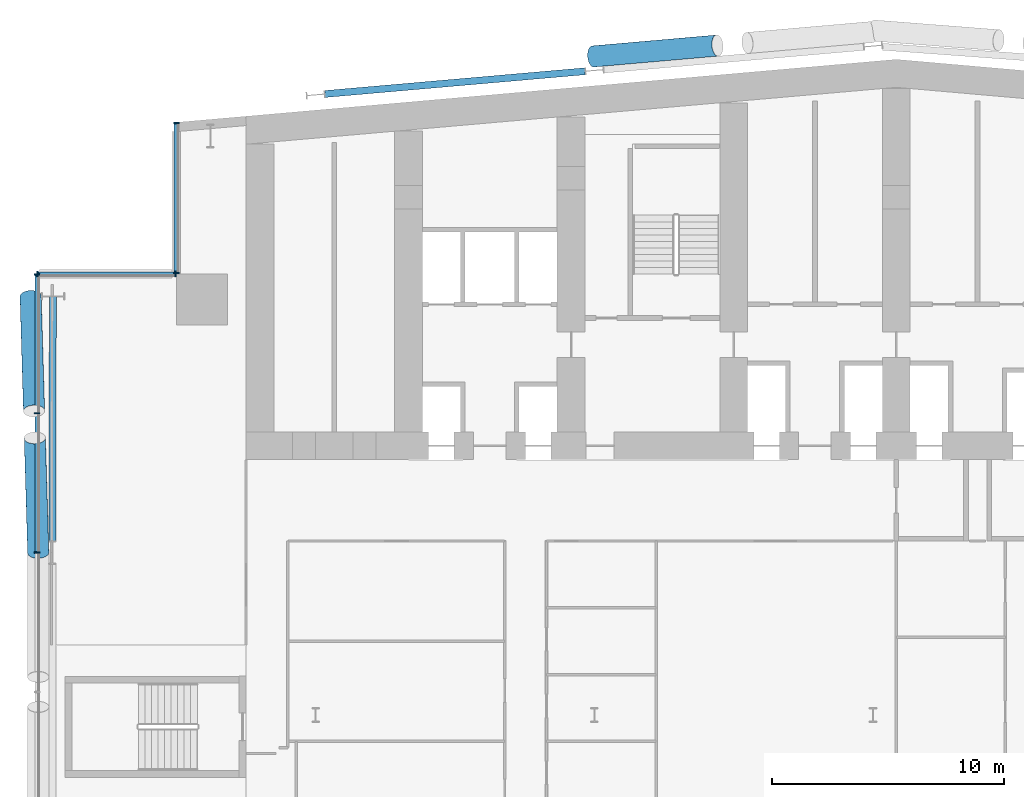
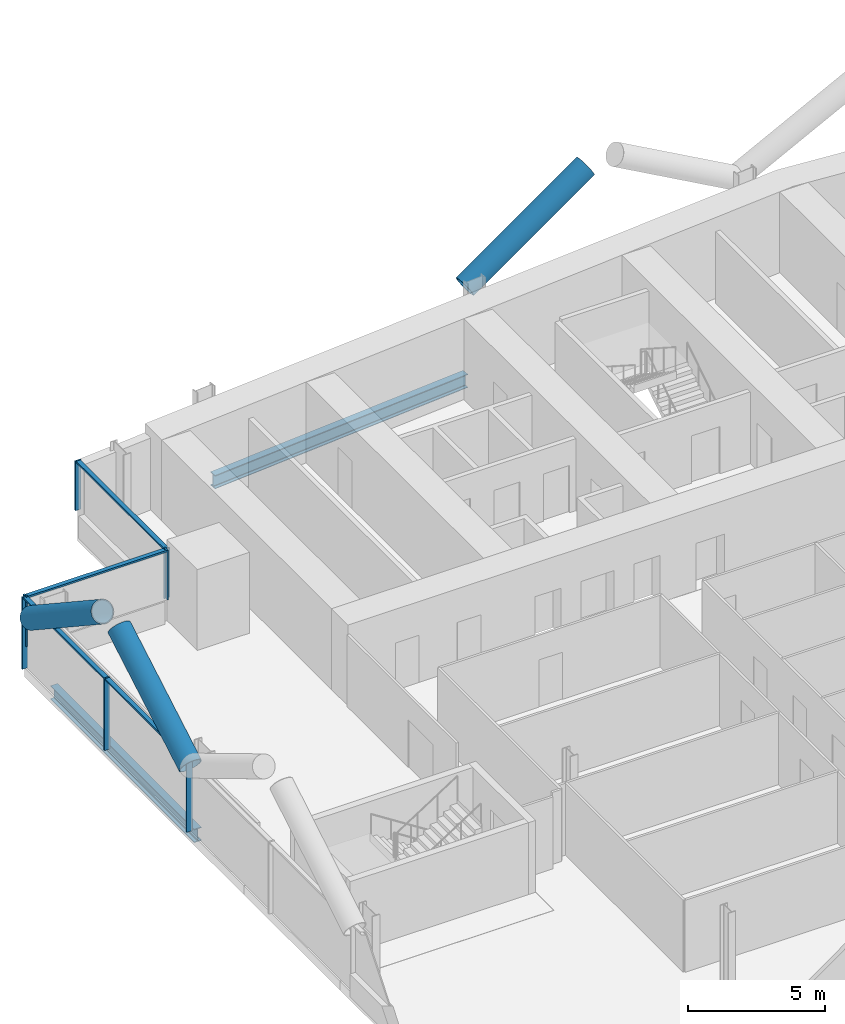
# One storey, part 7 of 27: 14 members, 2 beams, 3 elements without a shape of their own.
"""IFC4 building model written with IfcOpenShell, lengths in metres."""

import ifcopenshell
import ifcopenshell.guid

model = None  # the IFC model being written
_history = None  # IfcOwnerHistory: only IFC2X3 demands one
_inside = {}  # id of a spatial element -> (the spatial element, [elements in it])
_under = {}  # id of a project, library or spatial element -> (it, [spatial elements below it])
_declared = {}  # id of a project -> (the project, [libraries it declares])
_typed = {}  # id of a type object -> (the type object, [elements of that type])
_made_of = {}  # id of a material, layer set ... -> (it, [elements and type objects made of it])


def new_model(schema):
    """Start an empty IFC model of exactly this schema.

    Asked for "IFC4X3", IfcOpenShell would pick the latest addendum, in which some entities
    have other attributes; the version numbers below select the first issue.
    IFC2X3 requires an IfcOwnerHistory on every rooted entity: one is made here for all.
    """
    global model, _history
    if schema == "IFC4X3":
        model = ifcopenshell.file(schema_version=(4, 3, 0, 0))
    else:
        model = ifcopenshell.file(schema=schema)
    _inside.clear()
    _under.clear()
    _declared.clear()
    _typed.clear()
    _made_of.clear()
    _history = None
    if model.schema == "IFC2X3":
        org = make("IfcOrganization", Name="unknown")
        user = make(
            "IfcPersonAndOrganization",
            ThePerson=make("IfcPerson", FamilyName="unknown"),
            TheOrganization=org,
        )
        app = make(
            "IfcApplication",
            ApplicationDeveloper=org,
            Version="unknown",
            ApplicationFullName="unknown",
            ApplicationIdentifier="unknown",
        )
        _history = make(
            "IfcOwnerHistory",
            OwningUser=user,
            OwningApplication=app,
            ChangeAction="ADDED",
            CreationDate=0,
        )
    return model


def make(cls, **values):
    """One entity of the class cls with the attributes given. An attribute that is None is left unset."""
    return model.create_entity(
        cls, **{name: value for name, value in values.items() if value is not None}
    )


def rooted(cls, **values):
    """An entity with a GlobalId (a new one), such as an element, a storey or a relation."""
    return make(cls, GlobalId=ifcopenshell.guid.new(), OwnerHistory=_history, **values)


def si_unit(unit_type, name, prefix=None):
    """IfcSIUnit, for example si_unit("LENGTHUNIT", "METRE", prefix="MILLI")."""
    return make("IfcSIUnit", UnitType=unit_type, Prefix=prefix, Name=name)


def assignment(units):
    """IfcUnitAssignment: the units of a project."""
    return None if units is None else make("IfcUnitAssignment", Units=units)


def point(xyz):
    """IfcCartesianPoint."""
    return None if xyz is None else make("IfcCartesianPoint", Coordinates=xyz)


def direction(xyz):
    """IfcDirection."""
    return None if xyz is None else make("IfcDirection", DirectionRatios=xyz)


def frame(location, z_axis=None, x_axis=None):
    """IfcAxis2Placement3D, a coordinate frame: its origin and axes. An axis left out is left unset."""
    return make(
        "IfcAxis2Placement3D",
        Location=point(location),
        Axis=direction(z_axis),
        RefDirection=direction(x_axis),
    )


def frame_2d(location, x_axis=None):
    """IfcAxis2Placement2D, a coordinate frame in the plane: its origin and x axis."""
    return make(
        "IfcAxis2Placement2D", Location=point(location), RefDirection=direction(x_axis)
    )


def origin():
    """The frame at (0, 0, 0) with its axes left unset."""
    return frame((0.0, 0.0, 0.0))


def origin_2d():
    """The frame at (0, 0) in the plane with its x axis left unset."""
    return frame_2d((0.0, 0.0))


def place(relative_to, where):
    """IfcLocalPlacement: puts the frame where relative to a parent placement (None: the world)."""
    return make(
        "IfcLocalPlacement", PlacementRelTo=relative_to, RelativePlacement=where
    )


def context(
    kind, dimensions, precision=None, world=None, true_north=None, identifier=None
):
    """IfcGeometricRepresentationContext, for example the 3D "Model" context."""
    return make(
        "IfcGeometricRepresentationContext",
        ContextIdentifier=identifier,
        ContextType=kind,
        CoordinateSpaceDimension=dimensions,
        Precision=precision,
        WorldCoordinateSystem=world,
        TrueNorth=true_north,
    )


def subcontext(parent, identifier, kind, view, scale=None):
    """IfcGeometricRepresentationSubContext, for example "Body" below "Model"."""
    return make(
        "IfcGeometricRepresentationSubContext",
        ContextIdentifier=identifier,
        ContextType=kind,
        ParentContext=parent,
        TargetScale=scale,
        TargetView=view,
    )


def project(units=None, contexts=None):
    """IfcProject with its units and contexts."""
    return rooted(
        "IfcProject",
        Name="project",
        RepresentationContexts=contexts,
        UnitsInContext=assignment(units),
    )


def spatial(cls, under=None, at=None, **own):
    """A site, building, storey or space (cls), placed at a placement, below another one or the project."""
    s = rooted(cls, ObjectPlacement=at, **own)
    if under is not None:
        _under.setdefault(under.id(), (under, []))[1].append(s)
    return s


def profile(cls, at=None, kind="AREA", **sizes):
    """A parametric profile (cls). Its sizes go by their IFC names, for example OverallWidth=200.0."""
    return make(cls, ProfileType=kind, Position=at, **sizes)


def rectangle(**sizes):
    """IfcRectangleProfileDef."""
    return profile("IfcRectangleProfileDef", **sizes)


def hollow_circle(**sizes):
    """IfcCircleHollowProfileDef."""
    return profile("IfcCircleHollowProfileDef", **sizes)


def i_section(**sizes):
    """IfcIShapeProfileDef."""
    return profile("IfcIShapeProfileDef", **sizes)


def extrude(swept, where, along, depth):
    """IfcExtrudedAreaSolid: the profile swept, set in the frame where, extruded along a direction by depth."""
    return make(
        "IfcExtrudedAreaSolid",
        SweptArea=swept,
        Position=where,
        ExtrudedDirection=direction(along),
        Depth=depth,
    )


def shape(context_of_items, identifier, shape_type, items):
    """IfcShapeRepresentation: the items that make up one representation, for example the "Body"."""
    return make(
        "IfcShapeRepresentation",
        ContextOfItems=context_of_items,
        RepresentationIdentifier=identifier,
        RepresentationType=shape_type,
        Items=items,
    )


def material(Name=None, Category=None):
    """IfcMaterial."""
    return make("IfcMaterial", Name=Name, Category=Category)


def material_profile(
    of_material, cross_section, Name=None, Category=None, Priority=None
):
    """IfcMaterialProfile: a cross section and its material."""
    return make(
        "IfcMaterialProfile",
        Name=Name,
        Material=of_material,
        Profile=cross_section,
        Priority=Priority,
        Category=Category,
    )


def profile_set(profiles, Name=None, composite=None):
    """IfcMaterialProfileSet."""
    return make(
        "IfcMaterialProfileSet",
        Name=Name,
        MaterialProfiles=profiles,
        CompositeProfile=composite,
    )


def made_of(thing, what):
    """Note that an element or type object is made of a material, layer set ...; save() writes the relation."""
    if what is not None:
        _made_of.setdefault(what.id(), (what, []))[1].append(thing)
    return thing


def type_object(cls, material=None, **own):
    """A type object (cls), such as IfcWallType, which elements share."""
    return made_of(rooted(cls, **own), material)


def element(
    cls,
    number,
    at=None,
    inside=None,
    cuts=None,
    type_object=None,
    material=None,
    context=None,
    identifier="Body",
    shape_type=None,
    held_by="IfcProductDefinitionShape",
    body=None,
    shapes=None,
    **own,
):
    """One element of the class cls, such as IfcWall. Its Tag is "e" and its number.

    at: its placement. inside: the storey or other place that contains it. cuts: it is an
    opening in that element (IfcRelVoidsElement). A single representation is given by context,
    identifier, shape_type and body (its items); several are given by shapes. held_by: the class
    of the entity that holds the representations. save() writes the other relations.
    """
    e = rooted(cls, Tag="e%d" % number, ObjectPlacement=at, **own)
    if body is not None:
        shapes = [shape(context, identifier, shape_type, body)]
    if shapes is not None:
        e.Representation = make(held_by, Representations=shapes)
    if inside is not None:
        _inside.setdefault(inside.id(), (inside, []))[1].append(e)
    if cuts is not None:
        rooted(
            "IfcRelVoidsElement", RelatingBuildingElement=cuts, RelatedOpeningElement=e
        )
    if type_object is not None:
        _typed.setdefault(type_object.id(), (type_object, []))[1].append(e)
    return made_of(e, material)


def aggregate(whole, parts):
    """IfcRelAggregates: a whole, such as a stair, and the parts it consists of."""
    return rooted("IfcRelAggregates", RelatingObject=whole, RelatedObjects=parts)


def save(model, path):
    """Write the relations noted so far, then the file.

    IfcRelAggregates (storeys below a building ...), IfcRelContainedInSpatialStructure (elements
    in a storey), IfcRelDefinesByType, IfcRelAssociatesMaterial and IfcRelDeclares: one each for
    every whole, place, type object, material and project.
    """
    for whole, parts in _under.values():
        aggregate(whole, parts)
    for where, things in _inside.values():
        rooted(
            "IfcRelContainedInSpatialStructure",
            RelatedElements=things,
            RelatingStructure=where,
        )
    for kind, things in _typed.values():
        rooted("IfcRelDefinesByType", RelatedObjects=things, RelatingType=kind)
    for what, things in _made_of.values():
        rooted("IfcRelAssociatesMaterial", RelatedObjects=things, RelatingMaterial=what)
    for by, libraries in _declared.values():
        rooted("IfcRelDeclares", RelatingContext=by, RelatedDefinitions=libraries)
    model.write(path)


model = new_model("IFC4")

# Units and contexts
model_context = context("Model", 3, precision=1e-05, world=origin(), true_north=direction((0.0, 1.0)))
body_context = subcontext(model_context, "Body", "Model", "MODEL_VIEW")
ifc_project = project(units=[si_unit("LENGTHUNIT", "METRE"), si_unit("AREAUNIT", "SQUARE_METRE"), si_unit("VOLUMEUNIT", "CUBIC_METRE"), si_unit("PLANEANGLEUNIT", "RADIAN"), si_unit("MASSUNIT", "GRAM", prefix="KILO")], contexts=[model_context])

# Site, building, storey
site_placement = place(None, origin())
site = spatial("IfcSite", under=ifc_project, at=site_placement, CompositionType="ELEMENT")
building_placement = place(site_placement, origin())
building = spatial("IfcBuilding", under=site, at=building_placement, Name="Wharfspan Tower", CompositionType="ELEMENT")
storey_placement = place(building_placement, frame((0.0, 0.0, 81.100098)))
storey = spatial("IfcBuildingStorey", under=building, at=storey_placement, Name="L17", CompositionType="ELEMENT", Elevation=81.100098)

# Beams
ifc_material_1 = material(Name="Steel S355J2", Category="steel")
ifc_material_profile_1 = material_profile(ifc_material_1, i_section(OverallWidth=0.300049, OverallDepth=0.600098, WebThickness=0.015381, FlangeThickness=0.030029, FilletRadius=0.0271, at=origin_2d()))
ifc_profile_set_1 = profile_set([ifc_material_profile_1], Name="Steel S355J2")
beam_type = type_object("IfcBeamType", Name="Edge beam HEB 600", PredefinedType="SPANDREL", material=ifc_profile_set_1)
beam_1_placement = place(storey_placement, frame((23.598633, 50.724609, -0.700195), z_axis=(-0.996194, -0.087165, 0.0), x_axis=(0.087165, -0.996194, 0.0)))
element("IfcBeam", 1, at=beam_1_placement, inside=storey, type_object=beam_type, Name="Edge beam N1 L17 R.2 to R.1", PredefinedType="SPANDREL", context=body_context, shape_type="SweptSolid", body=[
    extrude(i_section(OverallWidth=0.300049, OverallDepth=0.600098, WebThickness=0.015381, FlangeThickness=0.030029, FilletRadius=0.0271, at=origin_2d()), origin(), (0.0, 0.0, 1.0), 11.23999),
])
beam_2_placement = place(storey_placement, frame((0.684814, 41.027832, -0.700195), z_axis=(-0.002249, -0.999997, 0.0), x_axis=(0.999997, -0.002249, 0.0)))
element("IfcBeam", 2, at=beam_2_placement, inside=storey, type_object=beam_type, Name="Edge beam W L17 PNRW-H.1 to PW.1", PredefinedType="SPANDREL", context=body_context, shape_type="SweptSolid", body=[
    extrude(i_section(OverallWidth=0.300049, OverallDepth=0.600098, WebThickness=0.015381, FlangeThickness=0.030029, FilletRadius=0.0271, at=origin_2d()), origin(), (0.0, 0.0, 1.0), 10.527832),
])

# Curtain wall, members
ifc_material_2 = material(Name="Aluminium 6063-T6", Category="aluminium")
curtain_wall_type = type_object("IfcCurtainWallType", Name="CURTAIN WALL PROW AND END", PredefinedType="NOTDEFINED", material=ifc_material_2)
curtain_wall_1_placement = place(storey_placement, origin())
curtain_wall_1 = element("IfcCurtainWall", 3, at=curtain_wall_1_placement, inside=storey, type_object=curtain_wall_type, Name="Curtain wall NRW-V", PredefinedType="NOTDEFINED")
ifc_material_profile_2 = material_profile(ifc_material_2, rectangle(XDim=0.23999, YDim=0.060059, at=origin_2d()))
ifc_profile_set_2 = profile_set([ifc_material_profile_2], Name="Aluminium 6063-T6")
member_type_1 = type_object("IfcMemberType", Name="MULLION PROW AND END 60x240", PredefinedType="MULLION", material=ifc_profile_set_2)
member_1_placement = place(storey_placement, frame((6.0, 48.494873, 1.0), z_axis=(0.0, 0.0, 1.0), x_axis=(1.0, 0.0, 0.0)))
member_1 = element("IfcMember", 4, at=member_1_placement, type_object=member_type_1, Name="Curtain wall NRW-V mullion 1", PredefinedType="MULLION", context=body_context, shape_type="SweptSolid", body=[
    extrude(rectangle(XDim=0.23999, YDim=0.060059, at=origin_2d()), origin(), (0.0, 0.0, 1.0), 2.199951),
])
member_2_placement = place(storey_placement, frame((6.0, 42.030029, 1.0), z_axis=(0.0, 0.0, 1.0), x_axis=(1.0, 0.0, 0.0)))
member_2 = element("IfcMember", 5, at=member_2_placement, type_object=member_type_1, Name="Curtain wall NRW-V mullion 2", PredefinedType="MULLION", context=body_context, shape_type="SweptSolid", body=[
    extrude(rectangle(XDim=0.23999, YDim=0.060059, at=origin_2d()), origin(), (0.0, 0.0, 1.0), 2.199951),
])

curtain_wall_2_placement = place(storey_placement, origin())
curtain_wall_2 = element("IfcCurtainWall", 6, at=curtain_wall_2_placement, inside=storey, type_object=curtain_wall_type, Name="Curtain wall NRW-H", PredefinedType="NOTDEFINED")
member_3_placement = place(storey_placement, frame((5.969971, 42.0, 1.0), z_axis=(0.0, 0.0, 1.0), x_axis=(0.0, -1.0, 0.0)))
member_3 = element("IfcMember", 7, at=member_3_placement, type_object=member_type_1, Name="Curtain wall NRW-H mullion 1", PredefinedType="MULLION", context=body_context, shape_type="SweptSolid", body=[
    extrude(rectangle(XDim=0.23999, YDim=0.060059, at=origin_2d()), origin(), (0.0, 0.0, 1.0), 2.199951),
])
member_4_placement = place(storey_placement, frame((0.030029, 42.0, 1.0), z_axis=(0.0, 0.0, 1.0), x_axis=(0.0, -1.0, 0.0)))
member_4 = element("IfcMember", 8, at=member_4_placement, type_object=member_type_1, Name="Curtain wall NRW-H mullion 2", PredefinedType="MULLION", context=body_context, shape_type="SweptSolid", body=[
    extrude(rectangle(XDim=0.23999, YDim=0.060059, at=origin_2d()), origin(), (0.0, 0.0, 1.0), 2.199951),
])

curtain_wall_3_placement = place(storey_placement, origin())
curtain_wall_3 = element("IfcCurtainWall", 9, at=curtain_wall_3_placement, inside=storey, type_object=curtain_wall_type, Name="Curtain wall W", PredefinedType="NOTDEFINED")
member_5_placement = place(storey_placement, frame((0.0, 41.969971, 0.0), z_axis=(0.0, 0.0, 1.0), x_axis=(1.0, 0.0, 0.0)))
member_5 = element("IfcMember", 10, at=member_5_placement, type_object=member_type_1, Name="Curtain wall W mullion 1", PredefinedType="MULLION", context=body_context, shape_type="SweptSolid", body=[
    extrude(rectangle(XDim=0.23999, YDim=0.060059, at=origin_2d()), origin(), (0.0, 0.0, 1.0), 3.199951),
])
member_6_placement = place(storey_placement, frame((0.0, 36.0, 0.0), z_axis=(0.0, 0.0, 1.0), x_axis=(1.0, 0.0, 0.0)))
member_6 = element("IfcMember", 11, at=member_6_placement, type_object=member_type_1, Name="Curtain wall W mullion 2", PredefinedType="MULLION", context=body_context, shape_type="SweptSolid", body=[
    extrude(rectangle(XDim=0.23999, YDim=0.060059, at=origin_2d()), origin(), (0.0, 0.0, 1.0), 3.199951),
])
member_7_placement = place(storey_placement, frame((0.0, 30.0, 0.0), z_axis=(0.0, 0.0, 1.0), x_axis=(1.0, 0.0, 0.0)))
member_7 = element("IfcMember", 12, at=member_7_placement, type_object=member_type_1, Name="Curtain wall W mullion 3", PredefinedType="MULLION", context=body_context, shape_type="SweptSolid", body=[
    extrude(rectangle(XDim=0.23999, YDim=0.060059, at=origin_2d()), origin(), (0.0, 0.0, 1.0), 3.199951),
])

# Members
ifc_material_3 = material(Name="Steel S460NH", Category="steel")
ifc_material_profile_3 = material_profile(ifc_material_3, hollow_circle(Radius=0.457031, WallThickness=0.040039, at=origin_2d()))
ifc_profile_set_3 = profile_set([ifc_material_profile_3], Name="Steel S460NH")
member_type_2 = type_object("IfcMemberType", Name="Mega brace CHS 914x40", PredefinedType="BRACE", material=ifc_profile_set_3)
for number, where, z_axis, x_axis, name in (
    (13, (-0.273193, 41.03418, 2.899902), (0.0249, -0.837221, 0.546298), (0.999556, 0.02973, 3e-06), "Mega brace W4 L18 part 1"),
    (14, (0.054932, 30.0, 2.899902), (-0.0249, 0.837221, 0.546298), (-0.999556, -0.02973, 3e-06), "Mega brace W4 L18 part 3"),
):
    element("IfcMember", number, at=place(storey_placement, frame(where, z_axis=z_axis, x_axis=x_axis)), inside=storey, type_object=member_type_2, Name=name, PredefinedType="BRACE", context=body_context, shape_type="SweptSolid", body=[
        extrude(hollow_circle(Radius=0.457031, WallThickness=0.040039, at=origin_2d()), origin(), (0.0, 0.0, 1.0), 5.892822),
    ])
member_8_placement = place(storey_placement, frame((23.947266, 51.363037, 2.899902), z_axis=(0.855094, 0.074809, 0.513048), x_axis=(-0.087154, 0.996195, 1e-06)))
element("IfcMember", 15, at=member_8_placement, inside=storey, type_object=member_type_2, Name="Mega brace N7 L18 part 1", PredefinedType="BRACE", context=body_context, shape_type="SweptSolid", body=[
    extrude(hollow_circle(Radius=0.457031, WallThickness=0.040039, at=origin_2d()), origin(), (0.0, 0.0, 1.0), 6.256104),
])

# Member
ifc_material_profile_4 = material_profile(ifc_material_2, rectangle(XDim=0.179932, YDim=0.080078, at=origin_2d()))
ifc_profile_set_4 = profile_set([ifc_material_profile_4], Name="Aluminium 6063-T6")
member_type_3 = type_object("IfcMemberType", Name="TRANSOM PROW AND END 80x180", PredefinedType="USERDEFINED", material=ifc_profile_set_4)
member_9_placement = place(storey_placement, frame((6.0, 48.464844, 3.159912), z_axis=(0.0, -1.0, 0.0), x_axis=(1.0, 0.0, 0.0)))
member_9 = element("IfcMember", 16, at=member_9_placement, type_object=member_type_3, Name="Curtain wall NRW-V transom 1", ObjectType="TRANSOM", PredefinedType="USERDEFINED", context=body_context, shape_type="SweptSolid", body=[
    extrude(rectangle(XDim=0.179932, YDim=0.080078, at=origin_2d()), origin(), (0.0, 0.0, 1.0), 6.404785),
])

aggregate(curtain_wall_1, [member_1, member_2, member_9])

member_10_placement = place(storey_placement, frame((5.939941, 42.0, 3.159912), z_axis=(-1.0, 0.0, 0.0), x_axis=(0.0, -1.0, 0.0)))
member_10 = element("IfcMember", 17, at=member_10_placement, type_object=member_type_3, Name="Curtain wall NRW-H transom 1", ObjectType="TRANSOM", PredefinedType="USERDEFINED", context=body_context, shape_type="SweptSolid", body=[
    extrude(rectangle(XDim=0.179932, YDim=0.080078, at=origin_2d()), origin(), (0.0, 0.0, 1.0), 5.879883),
])

aggregate(curtain_wall_2, [member_3, member_4, member_10])

member_11_placement = place(storey_placement, frame((0.0, 41.939941, 3.159912), z_axis=(0.0, -1.0, 0.0), x_axis=(1.0, 0.0, 0.0)))
member_11 = element("IfcMember", 18, at=member_11_placement, type_object=member_type_3, Name="Curtain wall W transom 1", ObjectType="TRANSOM", PredefinedType="USERDEFINED", context=body_context, shape_type="SweptSolid", body=[
    extrude(rectangle(XDim=0.179932, YDim=0.080078, at=origin_2d()), origin(), (0.0, 0.0, 1.0), 5.909912),
])

member_12_placement = place(storey_placement, frame((0.0, 35.969971, 3.159912), z_axis=(0.0, -1.0, 0.0), x_axis=(1.0, 0.0, 0.0)))
member_12 = element("IfcMember", 19, at=member_12_placement, type_object=member_type_3, Name="Curtain wall W transom 2", ObjectType="TRANSOM", PredefinedType="USERDEFINED", context=body_context, shape_type="SweptSolid", body=[
    extrude(rectangle(XDim=0.179932, YDim=0.080078, at=origin_2d()), origin(), (0.0, 0.0, 1.0), 5.939941),
])

aggregate(curtain_wall_3, [member_5, member_6, member_7, member_11, member_12])

save(model, "model.ifc")
